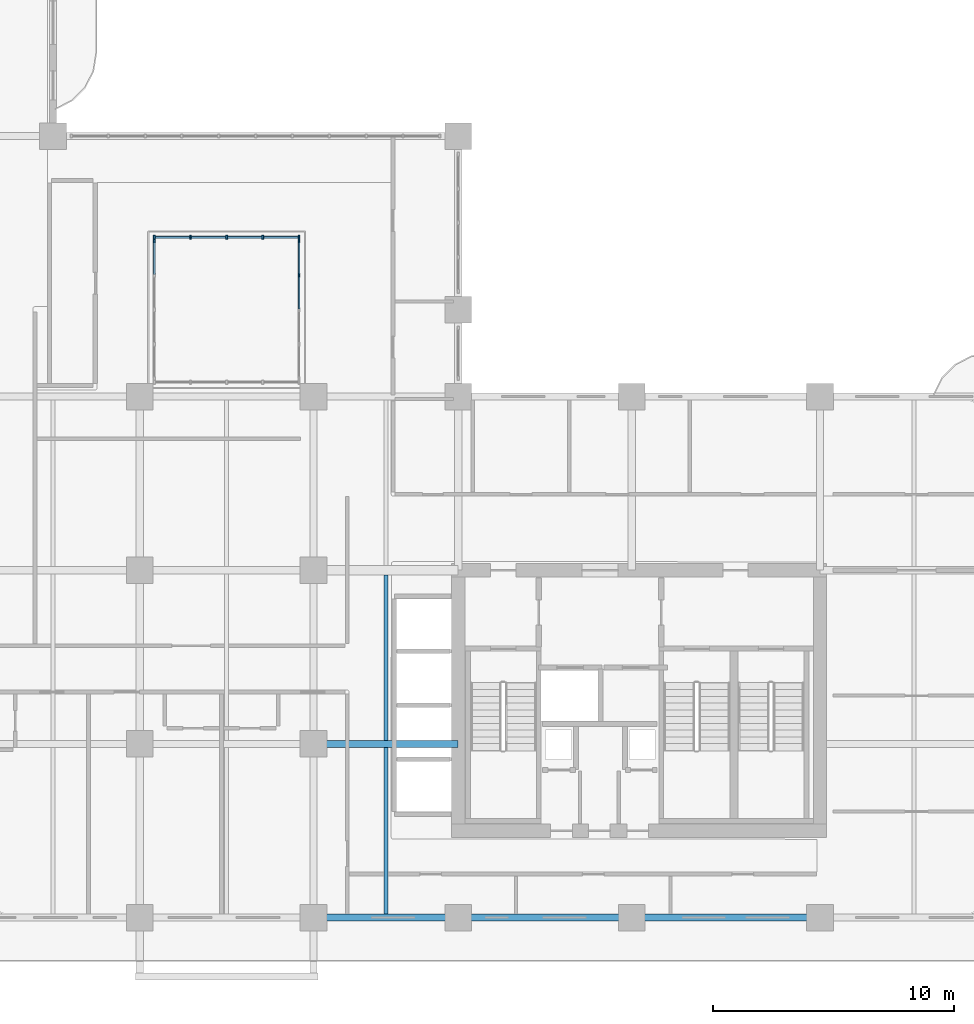
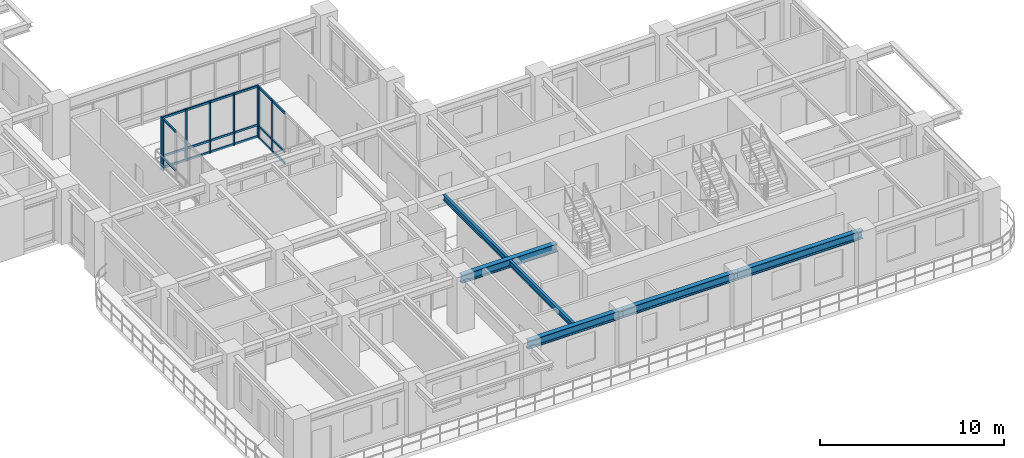
# One storey, part 3 of 22: 28 members, 6 beams, 3 elements without a shape of their own.
"""IFC4 building model written with IfcOpenShell, lengths in metres."""

from ifc_helpers import new_model, si_unit, derived_unit, direction, frame, origin, origin_2d, place, context, subcontext, project, spatial, rectangle, i_section, extrude, source, transform, mapped, material, layer, layer_set, material_profile, profile_set, type_object, type_shapes, element, aggregate, save


model = new_model("IFC4")

# Units and contexts
model_context = context("Model", 3, precision=1e-05, world=origin(), true_north=direction((0.0, 1.0)))
body_context = subcontext(model_context, "Body", "Model", "MODEL_VIEW")
ifc_project = project(units=[si_unit("LENGTHUNIT", "METRE"), si_unit("AREAUNIT", "SQUARE_METRE"), si_unit("VOLUMEUNIT", "CUBIC_METRE"), si_unit("PLANEANGLEUNIT", "RADIAN"), si_unit("MASSUNIT", "GRAM", prefix="KILO"), si_unit("THERMODYNAMICTEMPERATUREUNIT", "KELVIN"), si_unit("POWERUNIT", "WATT"), derived_unit("THERMALTRANSMITTANCEUNIT", [(si_unit("POWERUNIT", "WATT"), 1), (si_unit("AREAUNIT", "SQUARE_METRE"), -1), (si_unit("THERMODYNAMICTEMPERATUREUNIT", "KELVIN"), -1)])], contexts=[model_context])

# Site, building, storey
site_placement = place(None, origin())
site = spatial("IfcSite", under=ifc_project, at=site_placement, CompositionType="ELEMENT")
building_placement = place(site_placement, origin())
building = spatial("IfcBuilding", under=site, at=building_placement, Name="Zahravan Archway Hotel and Residences", CompositionType="ELEMENT")
storey_placement = place(building_placement, frame((0.0, 0.0, 80.5)))
storey = spatial("IfcBuildingStorey", under=building, at=storey_placement, Name="L19", CompositionType="ELEMENT", Elevation=80.5)

# Beams
ifc_material_1 = material(Name="Structural Steel S355JR", Category="steel")
ifc_material_profile_1 = material_profile(ifc_material_1, i_section(OverallWidth=0.300048828125, OverallDepth=0.550048828125, WebThickness=0.014892578125, FlangeThickness=0.029052734375, FilletRadius=0.027099609375, at=origin_2d()), Name="HEB 550", Category="steel")
ifc_profile_set_1 = profile_set([ifc_material_profile_1], Name="Structural Steel S355JR")
beam_type_1 = type_object("IfcBeamType", Name="BM-PRI-HEB550", PredefinedType="BEAM", material=ifc_profile_set_1)
shared_shape_1 = source(origin(), body_context, "Body", "SweptSolid", [
    extrude(i_section(OverallWidth=0.300048828125, OverallDepth=0.550048828125, WebThickness=0.014892578125, FlangeThickness=0.029052734375, FilletRadius=0.027099609375, at=origin_2d()), origin(), (0.0, 0.0, 1.0), 7.199951171875),
])
beam_1_placement = place(storey_placement, frame((34.800048828125, 0.0, 3.175048828125), z_axis=(1.0, 0.0, 0.0), x_axis=(0.0, 1.0, 0.0)))
element("IfcBeam", 1, at=beam_1_placement, inside=storey, type_object=beam_type_1, Name="L19 Primary Girder EW-04", PredefinedType="BEAM", context=body_context, shape_type="MappedRepresentation", body=[
    mapped(shared_shape_1, transform((0.0, 0.0, 0.0), scale=1.0)),
])
shared_shape_2 = source(origin(), body_context, "Body", "SweptSolid", [
    extrude(i_section(OverallWidth=0.300048828125, OverallDepth=0.550048828125, WebThickness=0.014892578125, FlangeThickness=0.029052734375, FilletRadius=0.027099609375, at=origin_2d()), origin(), (0.0, 0.0, 1.0), 6.0),
])
for number, where, z_axis, x_axis, name in (
    (2, (28.800048828125, 0.0, 3.175048828125), (1.0, 0.0, 0.0), (0.0, 1.0, 0.0), "L19 Primary Girder EW-03"),
    (3, (28.800048828125, 7.199951171875, 3.175048828125), (1.0, 0.0, 0.0), (0.0, 1.0, 0.0), "L19 Primary Girder EW-09"),
):
    element("IfcBeam", number, at=place(storey_placement, frame(where, z_axis=z_axis, x_axis=x_axis)), inside=storey, type_object=beam_type_1, Name=name, PredefinedType="BEAM", context=body_context, shape_type="MappedRepresentation", body=[
        mapped(shared_shape_2, transform((0.0, 0.0, 0.0), scale=1.0)),
    ])
shared_shape_3 = source(origin(), body_context, "Body", "SweptSolid", [
    extrude(i_section(OverallWidth=0.300048828125, OverallDepth=0.550048828125, WebThickness=0.014892578125, FlangeThickness=0.029052734375, FilletRadius=0.027099609375, at=origin_2d()), origin(), (0.0, 0.0, 1.0), 7.800048828125),
])
beam_2_placement = place(storey_placement, frame((42.0, 0.0, 3.175048828125), z_axis=(1.0, 0.0, 0.0), x_axis=(0.0, 1.0, 0.0)))
element("IfcBeam", 4, at=beam_2_placement, inside=storey, type_object=beam_type_1, Name="L19 Primary Girder EW-05", PredefinedType="BEAM", context=body_context, shape_type="MappedRepresentation", body=[
    mapped(shared_shape_3, transform((0.0, 0.0, 0.0), scale=1.0)),
])
ifc_material_profile_2 = material_profile(ifc_material_1, i_section(OverallWidth=0.169921875, OverallDepth=0.360107421875, WebThickness=0.008056640625, FlangeThickness=0.0126953125, FilletRadius=0.01806640625, at=origin_2d()), Name="IPE 360", Category="steel")
ifc_profile_set_2 = profile_set([ifc_material_profile_2], Name="Structural Steel S355JR")
beam_type_2 = type_object("IfcBeamType", Name="BM-JST-IPE360", PredefinedType="JOIST", material=ifc_profile_set_2)
shared_shape_4 = source(origin(), body_context, "Body", "SweptSolid", [
    extrude(i_section(OverallWidth=0.169921875, OverallDepth=0.360107421875, WebThickness=0.008056640625, FlangeThickness=0.0126953125, FilletRadius=0.01806640625, at=origin_2d()), origin(), (0.0, 0.0, 1.0), 6.904052734375),
])
type_shapes(beam_type_2, [shared_shape_4])
beam_3_placement = place(storey_placement, frame((31.800048828125, 0.14794921875, 3.27001953125), z_axis=(0.0, 1.0, 0.0), x_axis=(-1.0, 0.0, 0.0)))
element("IfcBeam", 5, at=beam_3_placement, inside=storey, type_object=beam_type_2, Name="L19 Composite Floor Joist 03", PredefinedType="JOIST", context=body_context, shape_type="MappedRepresentation", body=[
    mapped(shared_shape_4, transform((0.0, 0.0, 0.0), scale=1.0)),
])
shared_shape_5 = source(origin(), body_context, "Body", "SweptSolid", [
    extrude(i_section(OverallWidth=0.169921875, OverallDepth=0.360107421875, WebThickness=0.008056640625, FlangeThickness=0.0126953125, FilletRadius=0.01806640625, at=origin_2d()), origin(), (0.0, 0.0, 1.0), 6.85400390625),
])
beam_4_placement = place(storey_placement, frame((31.800048828125, 7.347900390625, 3.27001953125), z_axis=(0.0, 1.0, 0.0), x_axis=(-1.0, 0.0, 0.0)))
element("IfcBeam", 6, at=beam_4_placement, inside=storey, type_object=beam_type_2, Name="L19 Composite Floor Joist 07", PredefinedType="JOIST", context=body_context, shape_type="MappedRepresentation", body=[
    mapped(shared_shape_5, transform((0.0, 0.0, 0.0), scale=1.0)),
])

# Curtain wall, members
ifc_material_2 = material(Name="Bronze-Anodized Unitised Aluminium & Low-E Glass", Category="aluminium")
ifc_layer = layer(ifc_material_2, 0.179931640625, Name="Bronze-Anodized Unitised Aluminium & Low-E Glass", Category="aluminium")
ifc_layer_set = layer_set([ifc_layer], Name="Bronze-Anodized Unitised Aluminium & Low-E Glass")
curtain_wall_type = type_object("IfcCurtainWallType", Name="CW-ATR-GLAZ", PredefinedType="NOTDEFINED", material=ifc_layer_set)
curtain_wall_1_placement = place(storey_placement, origin())
curtain_wall_1 = element("IfcCurtainWall", 7, at=curtain_wall_1_placement, inside=storey, type_object=curtain_wall_type, Name="L19 Curtain Wall CW-ATR-L19-N-1", PredefinedType="NOTDEFINED")
ifc_material_3 = material(Name="Bronze-Anodized Extruded Aluminium", Category="aluminium")
ifc_material_profile_3 = material_profile(ifc_material_3, rectangle(XDim=0.080078125, YDim=0.159912109375, at=origin_2d()), Name="MUL 80x160", Category="aluminium")
ifc_profile_set_3 = profile_set([ifc_material_profile_3], Name="Bronze-Anodized Extruded Aluminium")
member_type_1 = type_object("IfcMemberType", Name="CWM-MUL-160", PredefinedType="MULLION", material=ifc_profile_set_3)
shared_shape_6 = source(origin(), body_context, "Body", "SweptSolid", [
    extrude(rectangle(XDim=0.080078125, YDim=0.159912109375, at=origin_2d()), origin(), (0.0, 0.0, 1.0), 3.449951171875),
])
member_1_placement = place(storey_placement, frame((22.199951171875, 28.199951171875, 0.0), z_axis=(0.0, 0.0, 1.0), x_axis=(1.0, 0.0, 0.0)))
member_1 = element("IfcMember", 8, at=member_1_placement, type_object=member_type_1, Name="CW-ATR-L19-N-1 Mullion 0", PredefinedType="MULLION", context=body_context, shape_type="MappedRepresentation", body=[
    mapped(shared_shape_6, transform((0.0, 0.0, 0.0), scale=1.0)),
])
member_2_placement = place(storey_placement, frame((23.699951171875, 28.199951171875, 0.0), z_axis=(0.0, 0.0, 1.0), x_axis=(1.0, 0.0, 0.0)))
member_2 = element("IfcMember", 9, at=member_2_placement, type_object=member_type_1, Name="CW-ATR-L19-N-1 Mullion 1", PredefinedType="MULLION", context=body_context, shape_type="MappedRepresentation", body=[
    mapped(shared_shape_6, transform((0.0, 0.0, 0.0), scale=1.0)),
])
member_3_placement = place(storey_placement, frame((25.199951171875, 28.199951171875, 0.0), z_axis=(0.0, 0.0, 1.0), x_axis=(1.0, 0.0, 0.0)))
member_3 = element("IfcMember", 10, at=member_3_placement, type_object=member_type_1, Name="CW-ATR-L19-N-1 Mullion 2", PredefinedType="MULLION", context=body_context, shape_type="MappedRepresentation", body=[
    mapped(shared_shape_6, transform((0.0, 0.0, 0.0), scale=1.0)),
])
member_4_placement = place(storey_placement, frame((26.699951171875, 28.199951171875, 0.0), z_axis=(0.0, 0.0, 1.0), x_axis=(1.0, 0.0, 0.0)))
member_4 = element("IfcMember", 11, at=member_4_placement, type_object=member_type_1, Name="CW-ATR-L19-N-1 Mullion 3", PredefinedType="MULLION", context=body_context, shape_type="MappedRepresentation", body=[
    mapped(shared_shape_6, transform((0.0, 0.0, 0.0), scale=1.0)),
])
member_5_placement = place(storey_placement, frame((28.199951171875, 28.199951171875, 0.0), z_axis=(0.0, 0.0, 1.0), x_axis=(1.0, 0.0, 0.0)))
member_5 = element("IfcMember", 12, at=member_5_placement, type_object=member_type_1, Name="CW-ATR-L19-N-1 Mullion 4", PredefinedType="MULLION", context=body_context, shape_type="MappedRepresentation", body=[
    mapped(shared_shape_6, transform((0.0, 0.0, 0.0), scale=1.0)),
])

# Curtain wall, member
curtain_wall_2_placement = place(storey_placement, origin())
curtain_wall_2 = element("IfcCurtainWall", 13, at=curtain_wall_2_placement, inside=storey, type_object=curtain_wall_type, Name="L19 Curtain Wall CW-ATR-L19-W-1", PredefinedType="NOTDEFINED")
member_6_placement = place(storey_placement, frame((22.199951171875, 28.050048828125, 0.0), z_axis=(0.0, 0.0, 1.0), x_axis=(1.0, 0.0, 0.0)))
member_6 = element("IfcMember", 14, at=member_6_placement, type_object=member_type_1, Name="CW-ATR-L19-W-1 Mullion 4", PredefinedType="MULLION", context=body_context, shape_type="MappedRepresentation", body=[
    mapped(shared_shape_6, transform((0.0, 0.0, 0.0), scale=1.0)),
])

# Curtain wall, members
curtain_wall_3_placement = place(storey_placement, origin())
curtain_wall_3 = element("IfcCurtainWall", 15, at=curtain_wall_3_placement, inside=storey, type_object=curtain_wall_type, Name="L19 Curtain Wall CW-ATR-L19-E-1", PredefinedType="NOTDEFINED")
member_7_placement = place(storey_placement, frame((28.199951171875, 26.625, 0.0), z_axis=(0.0, 0.0, 1.0), x_axis=(1.0, 0.0, 0.0)))
member_7 = element("IfcMember", 16, at=member_7_placement, type_object=member_type_1, Name="CW-ATR-L19-E-1 Mullion 3", PredefinedType="MULLION", context=body_context, shape_type="MappedRepresentation", body=[
    mapped(shared_shape_6, transform((0.0, 0.0, 0.0), scale=1.0)),
])
member_8_placement = place(storey_placement, frame((28.199951171875, 28.050048828125, 0.0), z_axis=(0.0, 0.0, 1.0), x_axis=(1.0, 0.0, 0.0)))
member_8 = element("IfcMember", 17, at=member_8_placement, type_object=member_type_1, Name="CW-ATR-L19-E-1 Mullion 4", PredefinedType="MULLION", context=body_context, shape_type="MappedRepresentation", body=[
    mapped(shared_shape_6, transform((0.0, 0.0, 0.0), scale=1.0)),
])

# Member
ifc_material_profile_4 = material_profile(ifc_material_3, rectangle(XDim=0.080078125, YDim=0.139892578125, at=origin_2d()), Name="TRN 80x140", Category="aluminium")
ifc_profile_set_4 = profile_set([ifc_material_profile_4], Name="Bronze-Anodized Extruded Aluminium")
member_type_2 = type_object("IfcMemberType", Name="CWM-TRN-140", PredefinedType="USERDEFINED", material=ifc_profile_set_4)
shared_shape_7 = source(origin(), body_context, "Body", "SweptSolid", [
    extrude(rectangle(XDim=0.080078125, YDim=0.139892578125, at=origin_2d()), origin(), (0.0, 0.0, 1.0), 1.419921875),
])
member_9_placement = place(storey_placement, frame((22.239990234375, 28.199951171875, 0.070068359375), z_axis=(1.0, 0.0, 0.0), x_axis=(0.0, 1.0, 0.0)))
member_9 = element("IfcMember", 18, at=member_9_placement, type_object=member_type_2, Name="CW-ATR-L19-N-1 Transom 0-1", ObjectType="TRANSOM", PredefinedType="USERDEFINED", context=body_context, shape_type="MappedRepresentation", body=[
    mapped(shared_shape_7, transform((0.0, 0.0, 0.0), scale=1.0)),
])

member_10_placement = place(storey_placement, frame((22.239990234375, 28.199951171875, 0.827880859375), z_axis=(1.0, 0.0, 0.0), x_axis=(0.0, 1.0, 0.0)))
member_10 = element("IfcMember", 19, at=member_10_placement, type_object=member_type_2, Name="CW-ATR-L19-N-1 Transom 0-2", ObjectType="TRANSOM", PredefinedType="USERDEFINED", context=body_context, shape_type="MappedRepresentation", body=[
    mapped(shared_shape_7, transform((0.0, 0.0, 0.0), scale=1.0)),
])

member_11_placement = place(storey_placement, frame((22.239990234375, 28.199951171875, 3.3798828125), z_axis=(1.0, 0.0, 0.0), x_axis=(0.0, 1.0, 0.0)))
member_11 = element("IfcMember", 20, at=member_11_placement, type_object=member_type_2, Name="CW-ATR-L19-N-1 Transom 0-3", ObjectType="TRANSOM", PredefinedType="USERDEFINED", context=body_context, shape_type="MappedRepresentation", body=[
    mapped(shared_shape_7, transform((0.0, 0.0, 0.0), scale=1.0)),
])

member_12_placement = place(storey_placement, frame((23.739990234375, 28.199951171875, 0.070068359375), z_axis=(1.0, 0.0, 0.0), x_axis=(0.0, 1.0, 0.0)))
member_12 = element("IfcMember", 21, at=member_12_placement, type_object=member_type_2, Name="CW-ATR-L19-N-1 Transom 1-1", ObjectType="TRANSOM", PredefinedType="USERDEFINED", context=body_context, shape_type="MappedRepresentation", body=[
    mapped(shared_shape_7, transform((0.0, 0.0, 0.0), scale=1.0)),
])

member_13_placement = place(storey_placement, frame((23.739990234375, 28.199951171875, 0.827880859375), z_axis=(1.0, 0.0, 0.0), x_axis=(0.0, 1.0, 0.0)))
member_13 = element("IfcMember", 22, at=member_13_placement, type_object=member_type_2, Name="CW-ATR-L19-N-1 Transom 1-2", ObjectType="TRANSOM", PredefinedType="USERDEFINED", context=body_context, shape_type="MappedRepresentation", body=[
    mapped(shared_shape_7, transform((0.0, 0.0, 0.0), scale=1.0)),
])

member_14_placement = place(storey_placement, frame((23.739990234375, 28.199951171875, 3.3798828125), z_axis=(1.0, 0.0, 0.0), x_axis=(0.0, 1.0, 0.0)))
member_14 = element("IfcMember", 23, at=member_14_placement, type_object=member_type_2, Name="CW-ATR-L19-N-1 Transom 1-3", ObjectType="TRANSOM", PredefinedType="USERDEFINED", context=body_context, shape_type="MappedRepresentation", body=[
    mapped(shared_shape_7, transform((0.0, 0.0, 0.0), scale=1.0)),
])

member_15_placement = place(storey_placement, frame((25.239990234375, 28.199951171875, 0.070068359375), z_axis=(1.0, 0.0, 0.0), x_axis=(0.0, 1.0, 0.0)))
member_15 = element("IfcMember", 24, at=member_15_placement, type_object=member_type_2, Name="CW-ATR-L19-N-1 Transom 2-1", ObjectType="TRANSOM", PredefinedType="USERDEFINED", context=body_context, shape_type="MappedRepresentation", body=[
    mapped(shared_shape_7, transform((0.0, 0.0, 0.0), scale=1.0)),
])

member_16_placement = place(storey_placement, frame((25.239990234375, 28.199951171875, 0.827880859375), z_axis=(1.0, 0.0, 0.0), x_axis=(0.0, 1.0, 0.0)))
member_16 = element("IfcMember", 25, at=member_16_placement, type_object=member_type_2, Name="CW-ATR-L19-N-1 Transom 2-2", ObjectType="TRANSOM", PredefinedType="USERDEFINED", context=body_context, shape_type="MappedRepresentation", body=[
    mapped(shared_shape_7, transform((0.0, 0.0, 0.0), scale=1.0)),
])

member_17_placement = place(storey_placement, frame((25.239990234375, 28.199951171875, 3.3798828125), z_axis=(1.0, 0.0, 0.0), x_axis=(0.0, 1.0, 0.0)))
member_17 = element("IfcMember", 26, at=member_17_placement, type_object=member_type_2, Name="CW-ATR-L19-N-1 Transom 2-3", ObjectType="TRANSOM", PredefinedType="USERDEFINED", context=body_context, shape_type="MappedRepresentation", body=[
    mapped(shared_shape_7, transform((0.0, 0.0, 0.0), scale=1.0)),
])

member_18_placement = place(storey_placement, frame((26.739990234375, 28.199951171875, 0.070068359375), z_axis=(1.0, 0.0, 0.0), x_axis=(0.0, 1.0, 0.0)))
member_18 = element("IfcMember", 27, at=member_18_placement, type_object=member_type_2, Name="CW-ATR-L19-N-1 Transom 3-1", ObjectType="TRANSOM", PredefinedType="USERDEFINED", context=body_context, shape_type="MappedRepresentation", body=[
    mapped(shared_shape_7, transform((0.0, 0.0, 0.0), scale=1.0)),
])

member_19_placement = place(storey_placement, frame((26.739990234375, 28.199951171875, 0.827880859375), z_axis=(1.0, 0.0, 0.0), x_axis=(0.0, 1.0, 0.0)))
member_19 = element("IfcMember", 28, at=member_19_placement, type_object=member_type_2, Name="CW-ATR-L19-N-1 Transom 3-2", ObjectType="TRANSOM", PredefinedType="USERDEFINED", context=body_context, shape_type="MappedRepresentation", body=[
    mapped(shared_shape_7, transform((0.0, 0.0, 0.0), scale=1.0)),
])

member_20_placement = place(storey_placement, frame((26.739990234375, 28.199951171875, 3.3798828125), z_axis=(1.0, 0.0, 0.0), x_axis=(0.0, 1.0, 0.0)))
member_20 = element("IfcMember", 29, at=member_20_placement, type_object=member_type_2, Name="CW-ATR-L19-N-1 Transom 3-3", ObjectType="TRANSOM", PredefinedType="USERDEFINED", context=body_context, shape_type="MappedRepresentation", body=[
    mapped(shared_shape_7, transform((0.0, 0.0, 0.0), scale=1.0)),
])

aggregate(curtain_wall_1, [member_1, member_2, member_3, member_4, member_5, member_9, member_10, member_11, member_12, member_13, member_14, member_15, member_16, member_17, member_18, member_19, member_20])

shared_shape_8 = source(origin(), body_context, "Body", "SweptSolid", [
    extrude(rectangle(XDim=0.080078125, YDim=0.139892578125, at=origin_2d()), origin(), (0.0, 0.0, 1.0), 1.344970703125),
])
member_21_placement = place(storey_placement, frame((22.199951171875, 26.6650390625, 0.827880859375), z_axis=(0.0, 1.0, 0.0), x_axis=(-1.0, 0.0, 0.0)))
member_21 = element("IfcMember", 30, at=member_21_placement, type_object=member_type_2, Name="CW-ATR-L19-W-1 Transom 3-2", ObjectType="TRANSOM", PredefinedType="USERDEFINED", context=body_context, shape_type="MappedRepresentation", body=[
    mapped(shared_shape_8, transform((0.0, 0.0, 0.0), scale=1.0)),
])

member_22_placement = place(storey_placement, frame((22.199951171875, 26.6650390625, 3.3798828125), z_axis=(0.0, 1.0, 0.0), x_axis=(-1.0, 0.0, 0.0)))
member_22 = element("IfcMember", 31, at=member_22_placement, type_object=member_type_2, Name="CW-ATR-L19-W-1 Transom 3-3", ObjectType="TRANSOM", PredefinedType="USERDEFINED", context=body_context, shape_type="MappedRepresentation", body=[
    mapped(shared_shape_8, transform((0.0, 0.0, 0.0), scale=1.0)),
])

aggregate(curtain_wall_2, [member_6, member_21, member_22])

member_23_placement = place(storey_placement, frame((28.199951171875, 25.239990234375, 0.070068359375), z_axis=(0.0, 1.0, 0.0), x_axis=(-1.0, 0.0, 0.0)))
member_23 = element("IfcMember", 32, at=member_23_placement, type_object=member_type_2, Name="CW-ATR-L19-E-1 Transom 2-1", ObjectType="TRANSOM", PredefinedType="USERDEFINED", context=body_context, shape_type="MappedRepresentation", body=[
    mapped(shared_shape_8, transform((0.0, 0.0, 0.0), scale=1.0)),
])

member_24_placement = place(storey_placement, frame((28.199951171875, 25.239990234375, 0.827880859375), z_axis=(0.0, 1.0, 0.0), x_axis=(-1.0, 0.0, 0.0)))
member_24 = element("IfcMember", 33, at=member_24_placement, type_object=member_type_2, Name="CW-ATR-L19-E-1 Transom 2-2", ObjectType="TRANSOM", PredefinedType="USERDEFINED", context=body_context, shape_type="MappedRepresentation", body=[
    mapped(shared_shape_8, transform((0.0, 0.0, 0.0), scale=1.0)),
])

member_25_placement = place(storey_placement, frame((28.199951171875, 25.239990234375, 3.3798828125), z_axis=(0.0, 1.0, 0.0), x_axis=(-1.0, 0.0, 0.0)))
member_25 = element("IfcMember", 34, at=member_25_placement, type_object=member_type_2, Name="CW-ATR-L19-E-1 Transom 2-3", ObjectType="TRANSOM", PredefinedType="USERDEFINED", context=body_context, shape_type="MappedRepresentation", body=[
    mapped(shared_shape_8, transform((0.0, 0.0, 0.0), scale=1.0)),
])

member_26_placement = place(storey_placement, frame((28.199951171875, 26.6650390625, 0.070068359375), z_axis=(0.0, 1.0, 0.0), x_axis=(-1.0, 0.0, 0.0)))
member_26 = element("IfcMember", 35, at=member_26_placement, type_object=member_type_2, Name="CW-ATR-L19-E-1 Transom 3-1", ObjectType="TRANSOM", PredefinedType="USERDEFINED", context=body_context, shape_type="MappedRepresentation", body=[
    mapped(shared_shape_8, transform((0.0, 0.0, 0.0), scale=1.0)),
])

member_27_placement = place(storey_placement, frame((28.199951171875, 26.6650390625, 0.827880859375), z_axis=(0.0, 1.0, 0.0), x_axis=(-1.0, 0.0, 0.0)))
member_27 = element("IfcMember", 36, at=member_27_placement, type_object=member_type_2, Name="CW-ATR-L19-E-1 Transom 3-2", ObjectType="TRANSOM", PredefinedType="USERDEFINED", context=body_context, shape_type="MappedRepresentation", body=[
    mapped(shared_shape_8, transform((0.0, 0.0, 0.0), scale=1.0)),
])

member_28_placement = place(storey_placement, frame((28.199951171875, 26.6650390625, 3.3798828125), z_axis=(0.0, 1.0, 0.0), x_axis=(-1.0, 0.0, 0.0)))
member_28 = element("IfcMember", 37, at=member_28_placement, type_object=member_type_2, Name="CW-ATR-L19-E-1 Transom 3-3", ObjectType="TRANSOM", PredefinedType="USERDEFINED", context=body_context, shape_type="MappedRepresentation", body=[
    mapped(shared_shape_8, transform((0.0, 0.0, 0.0), scale=1.0)),
])

aggregate(curtain_wall_3, [member_7, member_8, member_23, member_24, member_25, member_26, member_27, member_28])

save(model, "model.ifc")
